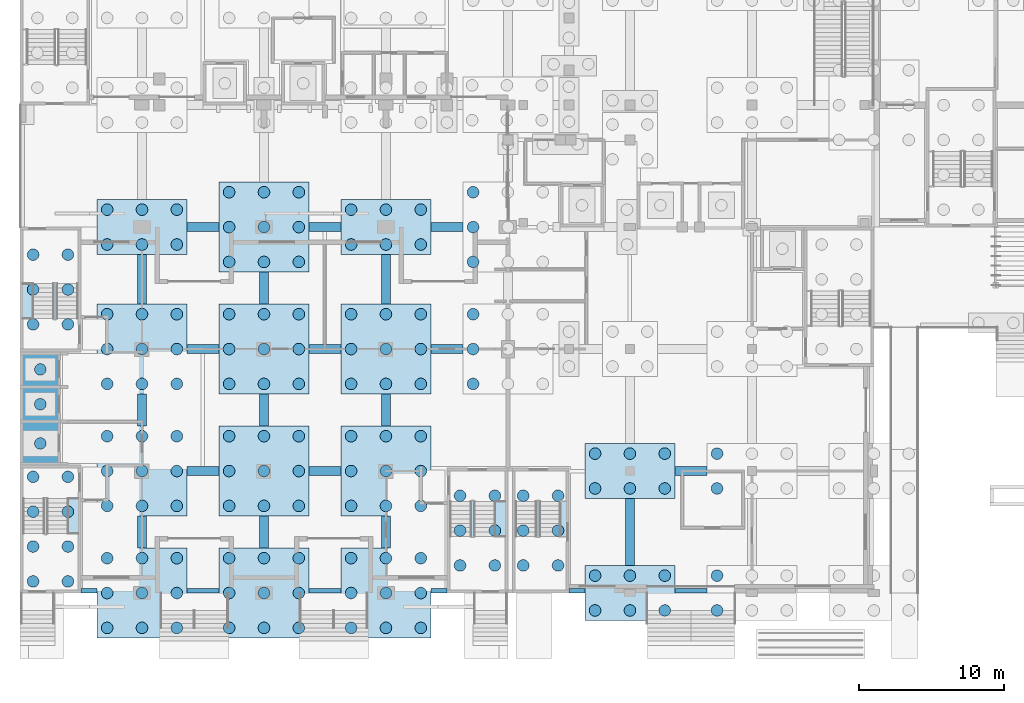
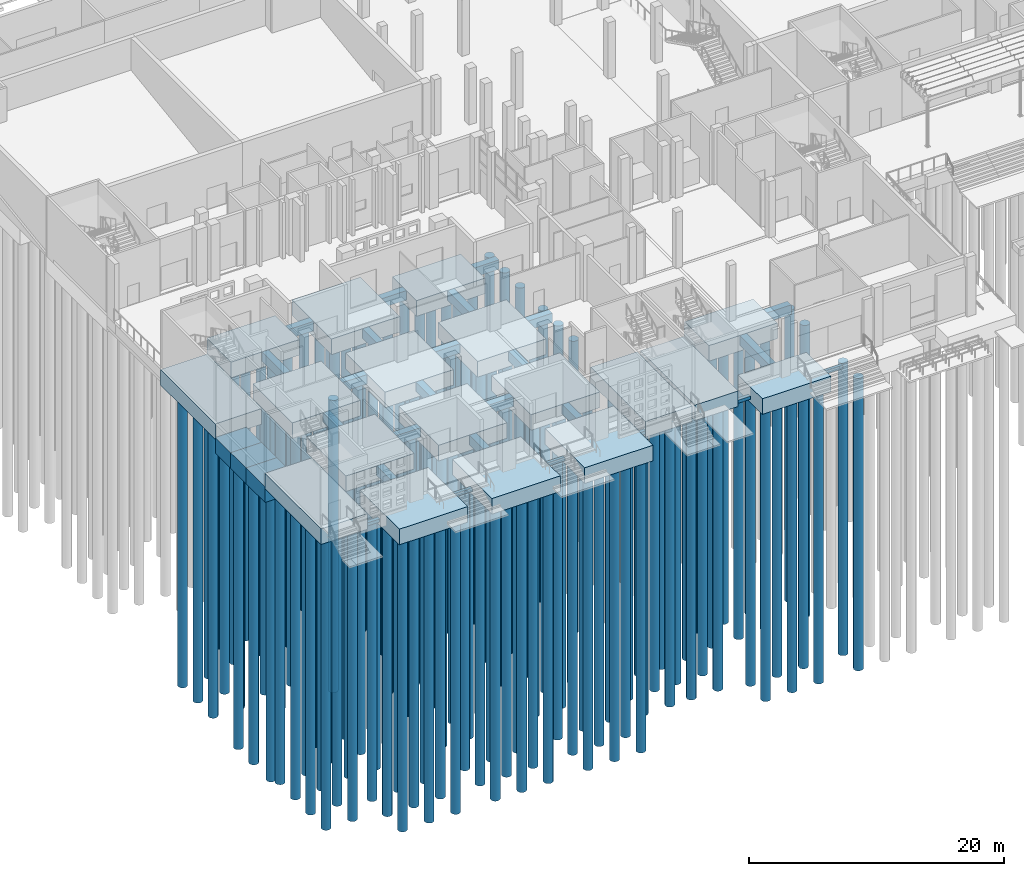
# One storey, part 1 of 129: 153 piles, 46 footings.
"""IFC4 building model written with IfcOpenShell, lengths in metres."""

from ifc_helpers import new_model, si_unit, direction, frame, origin, origin_2d, place, context, subcontext, project, spatial, rectangle, circle, extrude, material, material_profile, profile_set, type_object, element, save


model = new_model("IFC4")

# Units and contexts
model_context = context("Model", 3, precision=1e-05, world=origin(), true_north=direction((0.0, 1.0)))
body_context = subcontext(model_context, "Body", "Model", "MODEL_VIEW")
ifc_project = project(units=[si_unit("LENGTHUNIT", "METRE"), si_unit("AREAUNIT", "SQUARE_METRE"), si_unit("VOLUMEUNIT", "CUBIC_METRE"), si_unit("PLANEANGLEUNIT", "RADIAN"), si_unit("MASSUNIT", "GRAM", prefix="KILO")], contexts=[model_context])

# Site, building, storey
site_placement = place(None, origin())
site = spatial("IfcSite", under=ifc_project, at=site_placement, CompositionType="ELEMENT")
building_placement = place(site_placement, origin())
building = spatial("IfcBuilding", under=site, at=building_placement, Name="Kiln Court Media Centre", CompositionType="ELEMENT")
storey_placement = place(building_placement, origin())
storey = spatial("IfcBuildingStorey", under=building, at=storey_placement, Name="L00", CompositionType="ELEMENT", Elevation=0.0)

# Piles
ifc_material_1 = material(Name="Concrete C30/37", Category="concrete")
ifc_material_profile_1 = material_profile(ifc_material_1, circle(Radius=0.39990234375, at=origin_2d()), Name="PILE D800")
ifc_profile_set_1 = profile_set([ifc_material_profile_1], Name="Concrete C30/37")
pile_type_1 = type_object("IfcPileType", Name="Concrete C30/37 bored pile D800 cut-off -1.700 toe -29.700", PredefinedType="BORED", material=ifc_profile_set_1)
for number, where, z_axis, x_axis, name in (
    (1, (6.0, -2.39990234375, -1.699951171875), (0.0, 0.0, -1.0), (1.0, 0.0, 0.0), "L00-PI-1000"),
    (2, (8.39990234375, -2.39990234375, -1.699951171875), (0.0, 0.0, -1.0), (1.0, 0.0, 0.0), "L00-PI-1001"),
    (3, (10.800048828125, -2.39990234375, -1.699951171875), (0.0, 0.0, -1.0), (1.0, 0.0, 0.0), "L00-PI-1002"),
    (4, (6.0, 0.0, -1.699951171875), (0.0, 0.0, -1.0), (1.0, 0.0, 0.0), "L00-PI-1003"),
    (5, (8.39990234375, 0.0, -1.699951171875), (0.0, 0.0, -1.0), (1.0, 0.0, 0.0), "L00-PI-1004"),
    (6, (10.800048828125, 0.0, -1.699951171875), (0.0, 0.0, -1.0), (1.0, 0.0, 0.0), "L00-PI-1005"),
    (7, (6.0, 2.39990234375, -1.699951171875), (0.0, 0.0, -1.0), (1.0, 0.0, 0.0), "L00-PI-1006"),
    (8, (8.39990234375, 2.39990234375, -1.699951171875), (0.0, 0.0, -1.0), (1.0, 0.0, 0.0), "L00-PI-1007"),
    (9, (10.800048828125, 2.39990234375, -1.699951171875), (0.0, 0.0, -1.0), (1.0, 0.0, 0.0), "L00-PI-1008"),
    (10, (14.39990234375, -2.39990234375, -1.699951171875), (0.0, 0.0, -1.0), (1.0, 0.0, 0.0), "L00-PI-1009"),
    (11, (16.800048828125, -2.39990234375, -1.699951171875), (0.0, 0.0, -1.0), (1.0, 0.0, 0.0), "L00-PI-1010"),
    (12, (19.199951171875, -2.39990234375, -1.699951171875), (0.0, 0.0, -1.0), (1.0, 0.0, 0.0), "L00-PI-1011"),
    (13, (14.39990234375, 0.0, -1.699951171875), (0.0, 0.0, -1.0), (1.0, 0.0, 0.0), "L00-PI-1012"),
    (14, (16.800048828125, 0.0, -1.699951171875), (0.0, 0.0, -1.0), (1.0, 0.0, 0.0), "L00-PI-1013"),
    (15, (19.199951171875, 0.0, -1.699951171875), (0.0, 0.0, -1.0), (1.0, 0.0, 0.0), "L00-PI-1014"),
    (16, (14.39990234375, 2.39990234375, -1.699951171875), (0.0, 0.0, -1.0), (1.0, 0.0, 0.0), "L00-PI-1015"),
    (17, (16.800048828125, 2.39990234375, -1.699951171875), (0.0, 0.0, -1.0), (1.0, 0.0, 0.0), "L00-PI-1016"),
    (18, (19.199951171875, 2.39990234375, -1.699951171875), (0.0, 0.0, -1.0), (1.0, 0.0, 0.0), "L00-PI-1017"),
    (19, (22.800048828125, -2.39990234375, -1.699951171875), (0.0, 0.0, -1.0), (1.0, 0.0, 0.0), "L00-PI-1018"),
    (20, (25.199951171875, -2.39990234375, -1.699951171875), (0.0, 0.0, -1.0), (1.0, 0.0, 0.0), "L00-PI-1019"),
    (21, (27.60009765625, -2.39990234375, -1.699951171875), (0.0, 0.0, -1.0), (1.0, 0.0, 0.0), "L00-PI-1020"),
    (22, (22.800048828125, 0.0, -1.699951171875), (0.0, 0.0, -1.0), (1.0, 0.0, 0.0), "L00-PI-1021"),
    (23, (25.199951171875, 0.0, -1.699951171875), (0.0, 0.0, -1.0), (1.0, 0.0, 0.0), "L00-PI-1022"),
    (24, (27.60009765625, 0.0, -1.699951171875), (0.0, 0.0, -1.0), (1.0, 0.0, 0.0), "L00-PI-1023"),
    (25, (22.800048828125, 2.39990234375, -1.699951171875), (0.0, 0.0, -1.0), (1.0, 0.0, 0.0), "L00-PI-1024"),
    (26, (25.199951171875, 2.39990234375, -1.699951171875), (0.0, 0.0, -1.0), (1.0, 0.0, 0.0), "L00-PI-1025"),
    (27, (27.60009765625, 2.39990234375, -1.699951171875), (0.0, 0.0, -1.0), (1.0, 0.0, 0.0), "L00-PI-1026"),
    (28, (39.60009765625, -1.199951171875, -1.699951171875), (0.0, 0.0, -1.0), (1.0, 0.0, 0.0), "L00-PI-1027"),
    (29, (42.0, -1.199951171875, -1.699951171875), (0.0, 0.0, -1.0), (1.0, 0.0, 0.0), "L00-PI-1028"),
    (30, (44.39990234375, -1.199951171875, -1.699951171875), (0.0, 0.0, -1.0), (1.0, 0.0, 0.0), "L00-PI-1029"),
    (31, (39.60009765625, 1.199951171875, -1.699951171875), (0.0, 0.0, -1.0), (1.0, 0.0, 0.0), "L00-PI-1030"),
    (32, (42.0, 1.199951171875, -1.699951171875), (0.0, 0.0, -1.0), (1.0, 0.0, 0.0), "L00-PI-1031"),
    (33, (44.39990234375, 1.199951171875, -1.699951171875), (0.0, 0.0, -1.0), (1.0, 0.0, 0.0), "L00-PI-1032"),
    (34, (48.0, -1.199951171875, -1.699951171875), (0.0, 0.0, -1.0), (1.0, 0.0, 0.0), "L00-PI-1033"),
    (35, (48.0, 1.199951171875, -1.699951171875), (0.0, 0.0, -1.0), (1.0, 0.0, 0.0), "L00-PI-1036"),
    (36, (30.300048828125, 1.89990234375, -1.699951171875), (0.0, 0.0, -1.0), (1.0, 0.0, 0.0), "L00-PI-1081"),
    (37, (32.699951171875, 1.89990234375, -1.699951171875), (0.0, 0.0, -1.0), (1.0, 0.0, 0.0), "L00-PI-1082"),
    (38, (30.300048828125, 4.300048828125, -1.699951171875), (0.0, 0.0, -1.0), (1.0, 0.0, 0.0), "L00-PI-1083"),
    (39, (32.699951171875, 4.300048828125, -1.699951171875), (0.0, 0.0, -1.0), (1.0, 0.0, 0.0), "L00-PI-1084"),
    (40, (30.300048828125, 6.699951171875, -1.699951171875), (0.0, 0.0, -1.0), (1.0, 0.0, 0.0), "L00-PI-1085"),
    (41, (32.699951171875, 6.699951171875, -1.699951171875), (0.0, 0.0, -1.0), (1.0, 0.0, 0.0), "L00-PI-1086"),
    (42, (34.64990234375, 1.89990234375, -1.699951171875), (0.0, 0.0, -1.0), (1.0, 0.0, 0.0), "L00-PI-1087"),
    (43, (37.050048828125, 1.89990234375, -1.699951171875), (0.0, 0.0, -1.0), (1.0, 0.0, 0.0), "L00-PI-1088"),
    (44, (34.64990234375, 4.300048828125, -1.699951171875), (0.0, 0.0, -1.0), (1.0, 0.0, 0.0), "L00-PI-1089"),
    (45, (37.050048828125, 4.300048828125, -1.699951171875), (0.0, 0.0, -1.0), (1.0, 0.0, 0.0), "L00-PI-1090"),
    (46, (34.64990234375, 6.699951171875, -1.699951171875), (0.0, 0.0, -1.0), (1.0, 0.0, 0.0), "L00-PI-1091"),
    (47, (37.050048828125, 6.699951171875, -1.699951171875), (0.0, 0.0, -1.0), (1.0, 0.0, 0.0), "L00-PI-1092"),
    (48, (0.89990234375, 0.800048828125, -1.699951171875), (0.0, 0.0, -1.0), (1.0, 0.0, 0.0), "L00-PI-1093"),
    (49, (3.300048828125, 0.800048828125, -1.699951171875), (0.0, 0.0, -1.0), (1.0, 0.0, 0.0), "L00-PI-1094"),
    (50, (0.89990234375, 3.199951171875, -1.699951171875), (0.0, 0.0, -1.0), (1.0, 0.0, 0.0), "L00-PI-1095"),
    (51, (3.300048828125, 3.199951171875, -1.699951171875), (0.0, 0.0, -1.0), (1.0, 0.0, 0.0), "L00-PI-1096"),
    (52, (0.89990234375, 5.60009765625, -1.699951171875), (0.0, 0.0, -1.0), (1.0, 0.0, 0.0), "L00-PI-1097"),
    (53, (3.300048828125, 5.60009765625, -1.699951171875), (0.0, 0.0, -1.0), (1.0, 0.0, 0.0), "L00-PI-1098"),
    (54, (0.89990234375, 8.0, -1.699951171875), (0.0, 0.0, -1.0), (1.0, 0.0, 0.0), "L00-PI-1099"),
    (55, (3.300048828125, 8.0, -1.699951171875), (0.0, 0.0, -1.0), (1.0, 0.0, 0.0), "L00-PI-1100"),
    (56, (6.0, 6.0, -1.699951171875), (0.0, 0.0, -1.0), (1.0, 0.0, 0.0), "L00-PI-1101"),
    (57, (8.39990234375, 6.0, -1.699951171875), (0.0, 0.0, -1.0), (1.0, 0.0, 0.0), "L00-PI-1102"),
    (58, (10.800048828125, 6.0, -1.699951171875), (0.0, 0.0, -1.0), (1.0, 0.0, 0.0), "L00-PI-1103"),
    (59, (6.0, 8.39990234375, -1.699951171875), (0.0, 0.0, -1.0), (1.0, 0.0, 0.0), "L00-PI-1104"),
    (60, (8.39990234375, 8.39990234375, -1.699951171875), (0.0, 0.0, -1.0), (1.0, 0.0, 0.0), "L00-PI-1105"),
    (61, (10.800048828125, 8.39990234375, -1.699951171875), (0.0, 0.0, -1.0), (1.0, 0.0, 0.0), "L00-PI-1106"),
    (62, (6.0, 10.800048828125, -1.699951171875), (0.0, 0.0, -1.0), (1.0, 0.0, 0.0), "L00-PI-1107"),
    (63, (8.39990234375, 10.800048828125, -1.699951171875), (0.0, 0.0, -1.0), (1.0, 0.0, 0.0), "L00-PI-1108"),
    (64, (10.800048828125, 10.800048828125, -1.699951171875), (0.0, 0.0, -1.0), (1.0, 0.0, 0.0), "L00-PI-1109"),
    (65, (14.39990234375, 6.0, -1.699951171875), (0.0, 0.0, -1.0), (1.0, 0.0, 0.0), "L00-PI-1110"),
    (66, (16.800048828125, 6.0, -1.699951171875), (0.0, 0.0, -1.0), (1.0, 0.0, 0.0), "L00-PI-1111"),
    (67, (19.199951171875, 6.0, -1.699951171875), (0.0, 0.0, -1.0), (1.0, 0.0, 0.0), "L00-PI-1112"),
    (68, (14.39990234375, 8.39990234375, -1.699951171875), (0.0, 0.0, -1.0), (1.0, 0.0, 0.0), "L00-PI-1113"),
    (69, (16.800048828125, 8.39990234375, -1.699951171875), (0.0, 0.0, -1.0), (1.0, 0.0, 0.0), "L00-PI-1114"),
    (70, (19.199951171875, 8.39990234375, -1.699951171875), (0.0, 0.0, -1.0), (1.0, 0.0, 0.0), "L00-PI-1115"),
    (71, (14.39990234375, 10.800048828125, -1.699951171875), (0.0, 0.0, -1.0), (1.0, 0.0, 0.0), "L00-PI-1116"),
    (72, (16.800048828125, 10.800048828125, -1.699951171875), (0.0, 0.0, -1.0), (1.0, 0.0, 0.0), "L00-PI-1117"),
    (73, (19.199951171875, 10.800048828125, -1.699951171875), (0.0, 0.0, -1.0), (1.0, 0.0, 0.0), "L00-PI-1118"),
    (74, (22.800048828125, 6.0, -1.699951171875), (0.0, 0.0, -1.0), (1.0, 0.0, 0.0), "L00-PI-1119"),
    (75, (25.199951171875, 6.0, -1.699951171875), (0.0, 0.0, -1.0), (1.0, 0.0, 0.0), "L00-PI-1120"),
    (76, (27.60009765625, 6.0, -1.699951171875), (0.0, 0.0, -1.0), (1.0, 0.0, 0.0), "L00-PI-1121"),
    (77, (22.800048828125, 8.39990234375, -1.699951171875), (0.0, 0.0, -1.0), (1.0, 0.0, 0.0), "L00-PI-1122"),
    (78, (25.199951171875, 8.39990234375, -1.699951171875), (0.0, 0.0, -1.0), (1.0, 0.0, 0.0), "L00-PI-1123"),
    (79, (27.60009765625, 8.39990234375, -1.699951171875), (0.0, 0.0, -1.0), (1.0, 0.0, 0.0), "L00-PI-1124"),
    (80, (22.800048828125, 10.800048828125, -1.699951171875), (0.0, 0.0, -1.0), (1.0, 0.0, 0.0), "L00-PI-1125"),
    (81, (25.199951171875, 10.800048828125, -1.699951171875), (0.0, 0.0, -1.0), (1.0, 0.0, 0.0), "L00-PI-1126"),
    (82, (27.60009765625, 10.800048828125, -1.699951171875), (0.0, 0.0, -1.0), (1.0, 0.0, 0.0), "L00-PI-1127"),
    (83, (39.60009765625, 7.199951171875, -1.699951171875), (0.0, 0.0, -1.0), (1.0, 0.0, 0.0), "L00-PI-1128"),
    (84, (42.0, 7.199951171875, -1.699951171875), (0.0, 0.0, -1.0), (1.0, 0.0, 0.0), "L00-PI-1129"),
    (85, (44.39990234375, 7.199951171875, -1.699951171875), (0.0, 0.0, -1.0), (1.0, 0.0, 0.0), "L00-PI-1130"),
    (86, (39.60009765625, 9.60009765625, -1.699951171875), (0.0, 0.0, -1.0), (1.0, 0.0, 0.0), "L00-PI-1131"),
    (87, (42.0, 9.60009765625, -1.699951171875), (0.0, 0.0, -1.0), (1.0, 0.0, 0.0), "L00-PI-1132"),
    (88, (44.39990234375, 9.60009765625, -1.699951171875), (0.0, 0.0, -1.0), (1.0, 0.0, 0.0), "L00-PI-1133"),
    (89, (48.0, 7.199951171875, -1.699951171875), (0.0, 0.0, -1.0), (1.0, 0.0, 0.0), "L00-PI-1134"),
    (90, (48.0, 9.60009765625, -1.699951171875), (0.0, 0.0, -1.0), (1.0, 0.0, 0.0), "L00-PI-1137"),
    (91, (6.0, 14.39990234375, -1.699951171875), (0.0, 0.0, -1.0), (1.0, 0.0, 0.0), "L00-PI-1177"),
    (92, (8.39990234375, 14.39990234375, -1.699951171875), (0.0, 0.0, -1.0), (1.0, 0.0, 0.0), "L00-PI-1178"),
    (93, (10.800048828125, 14.39990234375, -1.699951171875), (0.0, 0.0, -1.0), (1.0, 0.0, 0.0), "L00-PI-1179"),
    (94, (6.0, 16.800048828125, -1.699951171875), (0.0, 0.0, -1.0), (1.0, 0.0, 0.0), "L00-PI-1180"),
    (95, (8.39990234375, 16.800048828125, -1.699951171875), (0.0, 0.0, -1.0), (1.0, 0.0, 0.0), "L00-PI-1181"),
    (96, (10.800048828125, 16.800048828125, -1.699951171875), (0.0, 0.0, -1.0), (1.0, 0.0, 0.0), "L00-PI-1182"),
    (97, (6.0, 19.199951171875, -1.699951171875), (0.0, 0.0, -1.0), (1.0, 0.0, 0.0), "L00-PI-1183"),
    (98, (8.39990234375, 19.199951171875, -1.699951171875), (0.0, 0.0, -1.0), (1.0, 0.0, 0.0), "L00-PI-1184"),
    (99, (10.800048828125, 19.199951171875, -1.699951171875), (0.0, 0.0, -1.0), (1.0, 0.0, 0.0), "L00-PI-1185"),
    (100, (14.39990234375, 14.39990234375, -1.699951171875), (0.0, 0.0, -1.0), (1.0, 0.0, 0.0), "L00-PI-1186"),
    (101, (16.800048828125, 14.39990234375, -1.699951171875), (0.0, 0.0, -1.0), (1.0, 0.0, 0.0), "L00-PI-1187"),
    (102, (19.199951171875, 14.39990234375, -1.699951171875), (0.0, 0.0, -1.0), (1.0, 0.0, 0.0), "L00-PI-1188"),
    (103, (14.39990234375, 16.800048828125, -1.699951171875), (0.0, 0.0, -1.0), (1.0, 0.0, 0.0), "L00-PI-1189"),
    (104, (16.800048828125, 16.800048828125, -1.699951171875), (0.0, 0.0, -1.0), (1.0, 0.0, 0.0), "L00-PI-1190"),
    (105, (19.199951171875, 16.800048828125, -1.699951171875), (0.0, 0.0, -1.0), (1.0, 0.0, 0.0), "L00-PI-1191"),
    (106, (14.39990234375, 19.199951171875, -1.699951171875), (0.0, 0.0, -1.0), (1.0, 0.0, 0.0), "L00-PI-1192"),
    (107, (16.800048828125, 19.199951171875, -1.699951171875), (0.0, 0.0, -1.0), (1.0, 0.0, 0.0), "L00-PI-1193"),
    (108, (19.199951171875, 19.199951171875, -1.699951171875), (0.0, 0.0, -1.0), (1.0, 0.0, 0.0), "L00-PI-1194"),
    (109, (22.800048828125, 14.39990234375, -1.699951171875), (0.0, 0.0, -1.0), (1.0, 0.0, 0.0), "L00-PI-1195"),
    (110, (25.199951171875, 14.39990234375, -1.699951171875), (0.0, 0.0, -1.0), (1.0, 0.0, 0.0), "L00-PI-1196"),
    (111, (27.60009765625, 14.39990234375, -1.699951171875), (0.0, 0.0, -1.0), (1.0, 0.0, 0.0), "L00-PI-1197"),
    (112, (22.800048828125, 16.800048828125, -1.699951171875), (0.0, 0.0, -1.0), (1.0, 0.0, 0.0), "L00-PI-1198"),
    (113, (25.199951171875, 16.800048828125, -1.699951171875), (0.0, 0.0, -1.0), (1.0, 0.0, 0.0), "L00-PI-1199"),
    (114, (27.60009765625, 16.800048828125, -1.699951171875), (0.0, 0.0, -1.0), (1.0, 0.0, 0.0), "L00-PI-1200"),
    (115, (22.800048828125, 19.199951171875, -1.699951171875), (0.0, 0.0, -1.0), (1.0, 0.0, 0.0), "L00-PI-1201"),
    (116, (25.199951171875, 19.199951171875, -1.699951171875), (0.0, 0.0, -1.0), (1.0, 0.0, 0.0), "L00-PI-1202"),
    (117, (27.60009765625, 19.199951171875, -1.699951171875), (0.0, 0.0, -1.0), (1.0, 0.0, 0.0), "L00-PI-1203"),
    (118, (31.199951171875, 14.39990234375, -1.699951171875), (0.0, 0.0, -1.0), (1.0, 0.0, 0.0), "L00-PI-1204"),
    (119, (31.199951171875, 16.800048828125, -1.699951171875), (0.0, 0.0, -1.0), (1.0, 0.0, 0.0), "L00-PI-1207"),
    (120, (31.199951171875, 19.199951171875, -1.699951171875), (0.0, 0.0, -1.0), (1.0, 0.0, 0.0), "L00-PI-1210"),
    (121, (0.89990234375, 18.5, -1.699951171875), (0.0, 0.0, -1.0), (1.0, 0.0, 0.0), "L00-PI-1273"),
    (122, (3.300048828125, 18.5, -1.699951171875), (0.0, 0.0, -1.0), (1.0, 0.0, 0.0), "L00-PI-1274"),
    (123, (0.89990234375, 20.89990234375, -1.699951171875), (0.0, 0.0, -1.0), (1.0, 0.0, 0.0), "L00-PI-1275"),
    (124, (3.300048828125, 20.89990234375, -1.699951171875), (0.0, 0.0, -1.0), (1.0, 0.0, 0.0), "L00-PI-1276"),
    (125, (0.89990234375, 23.300048828125, -1.699951171875), (0.0, 0.0, -1.0), (1.0, 0.0, 0.0), "L00-PI-1277"),
    (126, (3.300048828125, 23.300048828125, -1.699951171875), (0.0, 0.0, -1.0), (1.0, 0.0, 0.0), "L00-PI-1278"),
    (127, (6.0, 24.0, -1.699951171875), (0.0, 0.0, -1.0), (1.0, 0.0, 0.0), "L00-PI-1295"),
    (128, (8.39990234375, 24.0, -1.699951171875), (0.0, 0.0, -1.0), (1.0, 0.0, 0.0), "L00-PI-1296"),
    (129, (10.800048828125, 24.0, -1.699951171875), (0.0, 0.0, -1.0), (1.0, 0.0, 0.0), "L00-PI-1297"),
    (130, (6.0, 26.39990234375, -1.699951171875), (0.0, 0.0, -1.0), (1.0, 0.0, 0.0), "L00-PI-1298"),
    (131, (8.39990234375, 26.39990234375, -1.699951171875), (0.0, 0.0, -1.0), (1.0, 0.0, 0.0), "L00-PI-1299"),
    (132, (10.800048828125, 26.39990234375, -1.699951171875), (0.0, 0.0, -1.0), (1.0, 0.0, 0.0), "L00-PI-1300"),
    (133, (14.39990234375, 22.800048828125, -1.699951171875), (0.0, 0.0, -1.0), (1.0, 0.0, 0.0), "L00-PI-1301"),
    (134, (16.800048828125, 22.800048828125, -1.699951171875), (0.0, 0.0, -1.0), (1.0, 0.0, 0.0), "L00-PI-1302"),
    (135, (19.199951171875, 22.800048828125, -1.699951171875), (0.0, 0.0, -1.0), (1.0, 0.0, 0.0), "L00-PI-1303"),
    (136, (14.39990234375, 25.199951171875, -1.699951171875), (0.0, 0.0, -1.0), (1.0, 0.0, 0.0), "L00-PI-1304"),
    (137, (16.800048828125, 25.199951171875, -1.699951171875), (0.0, 0.0, -1.0), (1.0, 0.0, 0.0), "L00-PI-1305"),
    (138, (19.199951171875, 25.199951171875, -1.699951171875), (0.0, 0.0, -1.0), (1.0, 0.0, 0.0), "L00-PI-1306"),
    (139, (14.39990234375, 27.60009765625, -1.699951171875), (0.0, 0.0, -1.0), (1.0, 0.0, 0.0), "L00-PI-1307"),
    (140, (16.800048828125, 27.60009765625, -1.699951171875), (0.0, 0.0, -1.0), (1.0, 0.0, 0.0), "L00-PI-1308"),
    (141, (19.199951171875, 27.60009765625, -1.699951171875), (0.0, 0.0, -1.0), (1.0, 0.0, 0.0), "L00-PI-1309"),
    (142, (22.800048828125, 24.0, -1.699951171875), (0.0, 0.0, -1.0), (1.0, 0.0, 0.0), "L00-PI-1310"),
    (143, (25.199951171875, 24.0, -1.699951171875), (0.0, 0.0, -1.0), (1.0, 0.0, 0.0), "L00-PI-1311"),
    (144, (27.60009765625, 24.0, -1.699951171875), (0.0, 0.0, -1.0), (1.0, 0.0, 0.0), "L00-PI-1312"),
    (145, (22.800048828125, 26.39990234375, -1.699951171875), (0.0, 0.0, -1.0), (1.0, 0.0, 0.0), "L00-PI-1313"),
    (146, (25.199951171875, 26.39990234375, -1.699951171875), (0.0, 0.0, -1.0), (1.0, 0.0, 0.0), "L00-PI-1314"),
    (147, (27.60009765625, 26.39990234375, -1.699951171875), (0.0, 0.0, -1.0), (1.0, 0.0, 0.0), "L00-PI-1315"),
    (148, (31.199951171875, 22.800048828125, -1.699951171875), (0.0, 0.0, -1.0), (1.0, 0.0, 0.0), "L00-PI-1316"),
    (149, (31.199951171875, 25.199951171875, -1.699951171875), (0.0, 0.0, -1.0), (1.0, 0.0, 0.0), "L00-PI-1319"),
    (150, (31.199951171875, 27.60009765625, -1.699951171875), (0.0, 0.0, -1.0), (1.0, 0.0, 0.0), "L00-PI-1322"),
):
    element("IfcPile", number, at=place(storey_placement, frame(where, z_axis=z_axis, x_axis=x_axis)), inside=storey, type_object=pile_type_1, Name=name, PredefinedType="BORED", context=body_context, shape_type="SweptSolid", body=[
        extrude(circle(Radius=0.39990234375, at=origin_2d()), origin(), (0.0, 0.0, 1.0), 28.0),
    ])
ifc_material_2 = material(Name="Concrete C30/37", Category="concrete")
ifc_material_profile_2 = material_profile(ifc_material_2, circle(Radius=0.39990234375, at=origin_2d()), Name="PILE D800")
ifc_profile_set_2 = profile_set([ifc_material_profile_2], Name="Concrete C30/37")
pile_type_2 = type_object("IfcPileType", Name="Concrete C30/37 bored pile D800 cut-off -3.000 toe -31.000", PredefinedType="BORED", material=ifc_profile_set_2)
for number, where, z_axis, x_axis, name in (
    (151, (1.39990234375, 10.300048828125, -3.0), (0.0, 0.0, -1.0), (1.0, 0.0, 0.0), "L00-PI-1174"),
    (152, (1.39990234375, 13.0, -3.0), (0.0, 0.0, -1.0), (1.0, 0.0, 0.0), "L00-PI-1175"),
    (153, (1.39990234375, 15.39990234375, -3.0), (0.0, 0.0, -1.0), (1.0, 0.0, 0.0), "L00-PI-1176"),
):
    element("IfcPile", number, at=place(storey_placement, frame(where, z_axis=z_axis, x_axis=x_axis)), inside=storey, type_object=pile_type_2, Name=name, PredefinedType="BORED", context=body_context, shape_type="SweptSolid", body=[
        extrude(circle(Radius=0.39990234375, at=origin_2d()), origin(), (0.0, 0.0, 1.0), 28.0),
    ])

# Footings
ifc_material_3 = material(Name="Concrete C30/37", Category="concrete")
footing_type_1 = type_object("IfcFootingType", Name="Concrete C30/37 ground beam 600x900", PredefinedType="STRIP_FOOTING", material=ifc_material_3)
for number, where, z_axis, x_axis, name in (
    (154, (8.39990234375, 4.199951171875, -1.199951171875), (0.0, 0.0, 1.0), (1.0, 0.0, 0.0), "L00-FT-1228"),
    (155, (16.800048828125, 4.199951171875, -1.199951171875), (0.0, 0.0, 1.0), (1.0, 0.0, 0.0), "L00-FT-1229"),
    (156, (25.199951171875, 4.199951171875, -1.199951171875), (0.0, 0.0, 1.0), (1.0, 0.0, 0.0), "L00-FT-1230"),
):
    element("IfcFooting", number, at=place(storey_placement, frame(where, z_axis=z_axis, x_axis=x_axis)), inside=storey, type_object=footing_type_1, Name=name, PredefinedType="STRIP_FOOTING", context=body_context, shape_type="SweptSolid", body=[
        extrude(rectangle(XDim=0.60009765625, YDim=2.199951171875, at=origin_2d()), origin(), (0.0, 0.0, 1.0), 0.89990234375),
    ])
footing_1_placement = place(storey_placement, frame((42.0, 4.199951171875, -1.199951171875), z_axis=(0.0, 0.0, 1.0), x_axis=(1.0, 0.0, 0.0)))
element("IfcFooting", 157, at=footing_1_placement, inside=storey, type_object=footing_type_1, Name="L00-FT-1231", PredefinedType="STRIP_FOOTING", context=body_context, shape_type="SweptSolid", body=[
    extrude(rectangle(XDim=0.60009765625, YDim=4.60009765625, at=origin_2d()), origin(), (0.0, 0.0, 1.0), 0.89990234375),
])
for number, where, z_axis, x_axis, name in (
    (158, (12.60009765625, 8.39990234375, -1.199951171875), (0.0, 0.0, 1.0), (1.0, 0.0, 0.0), "L00-FT-1237"),
    (159, (21.0, 8.39990234375, -1.199951171875), (0.0, 0.0, 1.0), (1.0, 0.0, 0.0), "L00-FT-1238"),
    (160, (46.199951171875, 8.39990234375, -1.199951171875), (0.0, 0.0, 1.0), (1.0, 0.0, 0.0), "L00-FT-1239"),
):
    element("IfcFooting", number, at=place(storey_placement, frame(where, z_axis=z_axis, x_axis=x_axis)), inside=storey, type_object=footing_type_1, Name=name, PredefinedType="STRIP_FOOTING", context=body_context, shape_type="SweptSolid", body=[
        extrude(rectangle(XDim=2.199951171875, YDim=0.60009765625, at=origin_2d()), origin(), (0.0, 0.0, 1.0), 0.89990234375),
    ])
for number, where, z_axis, x_axis, name in (
    (161, (8.39990234375, 12.60009765625, -1.199951171875), (0.0, 0.0, 1.0), (1.0, 0.0, 0.0), "L00-FT-1246"),
    (162, (16.800048828125, 12.60009765625, -1.199951171875), (0.0, 0.0, 1.0), (1.0, 0.0, 0.0), "L00-FT-1247"),
    (163, (25.199951171875, 12.60009765625, -1.199951171875), (0.0, 0.0, 1.0), (1.0, 0.0, 0.0), "L00-FT-1248"),
):
    element("IfcFooting", number, at=place(storey_placement, frame(where, z_axis=z_axis, x_axis=x_axis)), inside=storey, type_object=footing_type_1, Name=name, PredefinedType="STRIP_FOOTING", context=body_context, shape_type="SweptSolid", body=[
        extrude(rectangle(XDim=0.60009765625, YDim=2.199951171875, at=origin_2d()), origin(), (0.0, 0.0, 1.0), 0.89990234375),
    ])
for number, where, z_axis, x_axis, name in (
    (164, (12.60009765625, 16.800048828125, -1.199951171875), (0.0, 0.0, 1.0), (1.0, 0.0, 0.0), "L00-FT-1255"),
    (165, (21.0, 16.800048828125, -1.199951171875), (0.0, 0.0, 1.0), (1.0, 0.0, 0.0), "L00-FT-1256"),
    (166, (29.39990234375, 16.800048828125, -1.199951171875), (0.0, 0.0, 1.0), (1.0, 0.0, 0.0), "L00-FT-1257"),
):
    element("IfcFooting", number, at=place(storey_placement, frame(where, z_axis=z_axis, x_axis=x_axis)), inside=storey, type_object=footing_type_1, Name=name, PredefinedType="STRIP_FOOTING", context=body_context, shape_type="SweptSolid", body=[
        extrude(rectangle(XDim=2.199951171875, YDim=0.60009765625, at=origin_2d()), origin(), (0.0, 0.0, 1.0), 0.89990234375),
    ])
footing_2_placement = place(storey_placement, frame((8.39990234375, 21.60009765625, -1.199951171875), z_axis=(0.0, 0.0, 1.0), x_axis=(1.0, 0.0, 0.0)))
element("IfcFooting", 167, at=footing_2_placement, inside=storey, type_object=footing_type_1, Name="L00-FT-1265", PredefinedType="STRIP_FOOTING", context=body_context, shape_type="SweptSolid", body=[
    extrude(rectangle(XDim=0.60009765625, YDim=3.39990234375, at=origin_2d()), origin(), (0.0, 0.0, 1.0), 0.89990234375),
])
footing_3_placement = place(storey_placement, frame((16.800048828125, 21.0, -1.199951171875), z_axis=(0.0, 0.0, 1.0), x_axis=(1.0, 0.0, 0.0)))
element("IfcFooting", 168, at=footing_3_placement, inside=storey, type_object=footing_type_1, Name="L00-FT-1266", PredefinedType="STRIP_FOOTING", context=body_context, shape_type="SweptSolid", body=[
    extrude(rectangle(XDim=0.60009765625, YDim=2.199951171875, at=origin_2d()), origin(), (0.0, 0.0, 1.0), 0.89990234375),
])
footing_4_placement = place(storey_placement, frame((25.199951171875, 21.60009765625, -1.199951171875), z_axis=(0.0, 0.0, 1.0), x_axis=(1.0, 0.0, 0.0)))
element("IfcFooting", 169, at=footing_4_placement, inside=storey, type_object=footing_type_1, Name="L00-FT-1267", PredefinedType="STRIP_FOOTING", context=body_context, shape_type="SweptSolid", body=[
    extrude(rectangle(XDim=0.60009765625, YDim=3.39990234375, at=origin_2d()), origin(), (0.0, 0.0, 1.0), 0.89990234375),
])
for number, where, z_axis, x_axis, name in (
    (170, (12.60009765625, 25.199951171875, -1.199951171875), (0.0, 0.0, 1.0), (1.0, 0.0, 0.0), "L00-FT-1285"),
    (171, (21.0, 25.199951171875, -1.199951171875), (0.0, 0.0, 1.0), (1.0, 0.0, 0.0), "L00-FT-1286"),
    (172, (29.39990234375, 25.199951171875, -1.199951171875), (0.0, 0.0, 1.0), (1.0, 0.0, 0.0), "L00-FT-1287"),
):
    element("IfcFooting", number, at=place(storey_placement, frame(where, z_axis=z_axis, x_axis=x_axis)), inside=storey, type_object=footing_type_1, Name=name, PredefinedType="STRIP_FOOTING", context=body_context, shape_type="SweptSolid", body=[
        extrude(rectangle(XDim=2.199951171875, YDim=0.60009765625, at=origin_2d()), origin(), (0.0, 0.0, 1.0), 0.89990234375),
    ])
ifc_material_4 = material(Name="Concrete C30/37", Category="concrete")
footing_type_2 = type_object("IfcFootingType", Name="Concrete C30/37 pile cap 2800x2400x1500", PredefinedType="PILE_CAP", material=ifc_material_4)
for number, where, z_axis, x_axis, name in (
    (173, (1.400390625, 13.0, -3.10009765625), (0.0, 0.0, 1.0), (1.0, 0.0, 0.0), "L00-FT-1042"),
    (174, (1.400390625, 15.39990234375, -3.10009765625), (0.0, 0.0, 1.0), (1.0, 0.0, 0.0), "L00-FT-1043"),
):
    element("IfcFooting", number, at=place(storey_placement, frame(where, z_axis=z_axis, x_axis=x_axis)), inside=storey, type_object=footing_type_2, Name=name, PredefinedType="PILE_CAP", context=body_context, shape_type="SweptSolid", body=[
        extrude(rectangle(XDim=2.800048828125, YDim=2.39990234375, at=origin_2d()), origin(), (0.0, 0.0, 1.0), 1.5),
    ])
ifc_material_5 = material(Name="Concrete C30/37", Category="concrete")
footing_type_3 = type_object("IfcFootingType", Name="Concrete C30/37 pile cap 2800x3000x1500", PredefinedType="PILE_CAP", material=ifc_material_5)
footing_5_placement = place(storey_placement, frame((1.400390625, 10.300048828125, -3.10009765625), z_axis=(0.0, 0.0, 1.0), x_axis=(1.0, 0.0, 0.0)))
element("IfcFooting", 175, at=footing_5_placement, inside=storey, type_object=footing_type_3, Name="L00-FT-1041", PredefinedType="PILE_CAP", context=body_context, shape_type="SweptSolid", body=[
    extrude(rectangle(XDim=2.800048828125, YDim=3.0, at=origin_2d()), origin(), (0.0, 0.0, 1.0), 1.5),
])
ifc_material_6 = material(Name="Concrete C30/37", Category="concrete")
footing_type_4 = type_object("IfcFootingType", Name="Concrete C30/37 pile cap 3900x8600x1500", PredefinedType="PILE_CAP", material=ifc_material_6)
footing_6_placement = place(storey_placement, frame((35.85009765625, 4.300048828125, -1.800048828125), z_axis=(0.0, 0.0, 1.0), x_axis=(1.0, 0.0, 0.0)))
element("IfcFooting", 176, at=footing_6_placement, inside=storey, type_object=footing_type_4, Name="L00-FT-1027", PredefinedType="PILE_CAP", context=body_context, shape_type="SweptSolid", body=[
    extrude(rectangle(XDim=3.89990234375, YDim=8.60009765625, at=origin_2d()), origin(), (0.0, 0.0, 1.0), 1.5),
])
ifc_material_7 = material(Name="Concrete C30/37", Category="concrete")
footing_type_5 = type_object("IfcFootingType", Name="Concrete C30/37 pile cap 4200x8600x1500", PredefinedType="PILE_CAP", material=ifc_material_7)
for number, where, z_axis, x_axis, name in (
    (177, (31.5, 4.300048828125, -1.800048828125), (0.0, 0.0, 1.0), (1.0, 0.0, 0.0), "L00-FT-1026"),
    (178, (2.100341796875, 20.89990234375, -1.800048828125), (0.0, 0.0, 1.0), (1.0, 0.0, 0.0), "L00-FT-1064"),
):
    element("IfcFooting", number, at=place(storey_placement, frame(where, z_axis=z_axis, x_axis=x_axis)), inside=storey, type_object=footing_type_5, Name=name, PredefinedType="PILE_CAP", context=body_context, shape_type="SweptSolid", body=[
        extrude(rectangle(XDim=4.199951171875, YDim=8.60009765625, at=origin_2d()), origin(), (0.0, 0.0, 1.0), 1.5),
    ])
ifc_material_8 = material(Name="Concrete C30/37", Category="concrete")
footing_type_6 = type_object("IfcFootingType", Name="Concrete C30/37 pile cap 4200x8800x1500", PredefinedType="PILE_CAP", material=ifc_material_8)
footing_7_placement = place(storey_placement, frame((2.100341796875, 4.39990234375, -1.800048828125), z_axis=(0.0, 0.0, 1.0), x_axis=(1.0, 0.0, 0.0)))
element("IfcFooting", 179, at=footing_7_placement, inside=storey, type_object=footing_type_6, Name="L00-FT-1028", PredefinedType="PILE_CAP", context=body_context, shape_type="SweptSolid", body=[
    extrude(rectangle(XDim=4.199951171875, YDim=8.800048828125, at=origin_2d()), origin(), (0.0, 0.0, 1.0), 1.5),
])
ifc_material_9 = material(Name="Concrete C30/37", Category="concrete")
footing_type_7 = type_object("IfcFootingType", Name="Concrete C30/37 pile cap 6200x3800x1500", PredefinedType="PILE_CAP", material=ifc_material_9)
for number, where, z_axis, x_axis, name in (
    (180, (42.0, 0.0, -1.800048828125), (0.0, 0.0, 1.0), (1.0, 0.0, 0.0), "L00-FT-1017"),
    (181, (42.0, 8.39990234375, -1.800048828125), (0.0, 0.0, 1.0), (1.0, 0.0, 0.0), "L00-FT-1032"),
    (182, (8.39990234375, 25.199951171875, -1.800048828125), (0.0, 0.0, 1.0), (1.0, 0.0, 0.0), "L00-FT-1070"),
    (183, (25.199951171875, 25.199951171875, -1.800048828125), (0.0, 0.0, 1.0), (1.0, 0.0, 0.0), "L00-FT-1072"),
):
    element("IfcFooting", number, at=place(storey_placement, frame(where, z_axis=z_axis, x_axis=x_axis)), inside=storey, type_object=footing_type_7, Name=name, PredefinedType="PILE_CAP", context=body_context, shape_type="SweptSolid", body=[
        extrude(rectangle(XDim=6.199951171875, YDim=3.800048828125, at=origin_2d()), origin(), (0.0, 0.0, 1.0), 1.5),
    ])
ifc_material_10 = material(Name="Concrete C30/37", Category="concrete")
footing_type_8 = type_object("IfcFootingType", Name="Concrete C30/37 pile cap 6200x6200x1500", PredefinedType="PILE_CAP", material=ifc_material_10)
for number, where, z_axis, x_axis, name in (
    (184, (8.39990234375, 0.0, -1.800048828125), (0.0, 0.0, 1.0), (1.0, 0.0, 0.0), "L00-FT-1014"),
    (185, (16.800048828125, 0.0, -1.800048828125), (0.0, 0.0, 1.0), (1.0, 0.0, 0.0), "L00-FT-1015"),
    (186, (25.199951171875, 0.0, -1.800048828125), (0.0, 0.0, 1.0), (1.0, 0.0, 0.0), "L00-FT-1016"),
    (187, (8.39990234375, 8.39990234375, -1.800048828125), (0.0, 0.0, 1.0), (1.0, 0.0, 0.0), "L00-FT-1029"),
    (188, (16.800048828125, 8.39990234375, -1.800048828125), (0.0, 0.0, 1.0), (1.0, 0.0, 0.0), "L00-FT-1030"),
    (189, (25.199951171875, 8.39990234375, -1.800048828125), (0.0, 0.0, 1.0), (1.0, 0.0, 0.0), "L00-FT-1031"),
    (190, (8.39990234375, 16.800048828125, -1.800048828125), (0.0, 0.0, 1.0), (1.0, 0.0, 0.0), "L00-FT-1044"),
    (191, (16.800048828125, 16.800048828125, -1.800048828125), (0.0, 0.0, 1.0), (1.0, 0.0, 0.0), "L00-FT-1045"),
    (192, (25.199951171875, 16.800048828125, -1.800048828125), (0.0, 0.0, 1.0), (1.0, 0.0, 0.0), "L00-FT-1046"),
    (193, (16.800048828125, 25.199951171875, -1.800048828125), (0.0, 0.0, 1.0), (1.0, 0.0, 0.0), "L00-FT-1071"),
):
    element("IfcFooting", number, at=place(storey_placement, frame(where, z_axis=z_axis, x_axis=x_axis)), inside=storey, type_object=footing_type_8, Name=name, PredefinedType="PILE_CAP", context=body_context, shape_type="SweptSolid", body=[
        extrude(rectangle(XDim=6.199951171875, YDim=6.199951171875, at=origin_2d()), origin(), (0.0, 0.0, 1.0), 1.5),
    ])
ifc_material_11 = material(Name="Concrete C30/37", Category="concrete")
footing_type_9 = type_object("IfcFootingType", Name="Concrete C30/37 wall footing 300x300", PredefinedType="STRIP_FOOTING", material=ifc_material_11)
footing_8_placement = place(storey_placement, frame((4.75, 0.14990234375, -1.5), z_axis=(0.0, 0.0, 1.0), x_axis=(1.0, 0.0, 0.0)))
element("IfcFooting", 194, at=footing_8_placement, inside=storey, type_object=footing_type_9, Name="L00-FT-1465", PredefinedType="STRIP_FOOTING", context=body_context, shape_type="SweptSolid", body=[
    extrude(rectangle(XDim=1.10009765625, YDim=0.300048828125, at=origin_2d()), origin(), (0.0, 0.0, 1.0), 0.300048828125),
])
for number, where, z_axis, x_axis, name in (
    (195, (12.60009765625, 0.14990234375, -1.5), (0.0, 0.0, 1.0), (1.0, 0.0, 0.0), "L00-FT-1466"),
    (196, (21.0, 0.14990234375, -1.5), (0.0, 0.0, 1.0), (1.0, 0.0, 0.0), "L00-FT-1467"),
):
    element("IfcFooting", number, at=place(storey_placement, frame(where, z_axis=z_axis, x_axis=x_axis)), inside=storey, type_object=footing_type_9, Name=name, PredefinedType="STRIP_FOOTING", context=body_context, shape_type="SweptSolid", body=[
        extrude(rectangle(XDim=2.199951171875, YDim=0.300048828125, at=origin_2d()), origin(), (0.0, 0.0, 1.0), 0.300048828125),
    ])
for number, where, z_axis, x_axis, name in (
    (197, (28.85009765625, 0.14990234375, -1.5), (0.0, 0.0, 1.0), (1.0, 0.0, 0.0), "L00-FT-1468"),
    (198, (38.35009765625, 0.14990234375, -1.5), (0.0, 0.0, 1.0), (1.0, 0.0, 0.0), "L00-FT-1469"),
):
    element("IfcFooting", number, at=place(storey_placement, frame(where, z_axis=z_axis, x_axis=x_axis)), inside=storey, type_object=footing_type_9, Name=name, PredefinedType="STRIP_FOOTING", context=body_context, shape_type="SweptSolid", body=[
        extrude(rectangle(XDim=1.10009765625, YDim=0.300048828125, at=origin_2d()), origin(), (0.0, 0.0, 1.0), 0.300048828125),
    ])
footing_9_placement = place(storey_placement, frame((46.199951171875, 0.14990234375, -1.5), z_axis=(0.0, 0.0, 1.0), x_axis=(1.0, 0.0, 0.0)))
element("IfcFooting", 199, at=footing_9_placement, inside=storey, type_object=footing_type_9, Name="L00-FT-1470", PredefinedType="STRIP_FOOTING", context=body_context, shape_type="SweptSolid", body=[
    extrude(rectangle(XDim=2.199951171875, YDim=0.300048828125, at=origin_2d()), origin(), (0.0, 0.0, 1.0), 0.300048828125),
])

save(model, "model.ifc")
